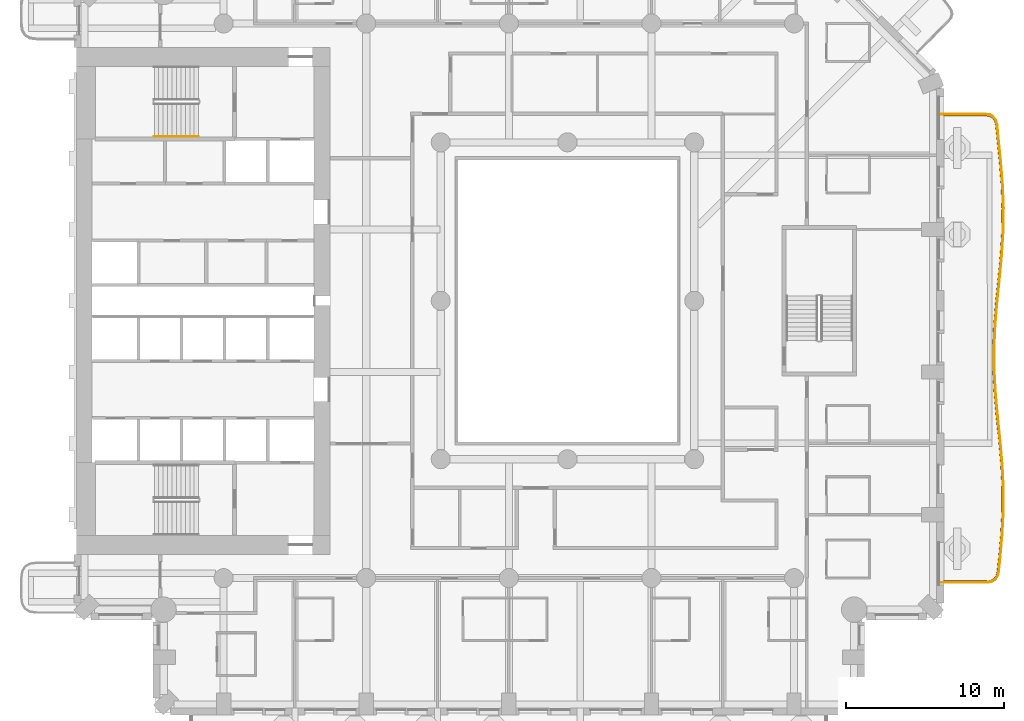
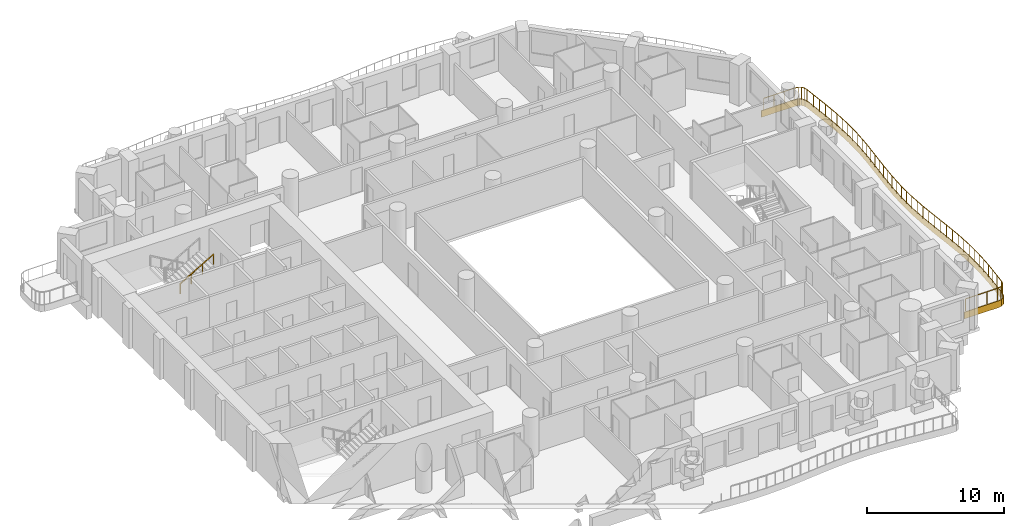
# One storey, part 16 of 20: 2 railings, 1 covering.
"""IFC4 building model written with IfcOpenShell, lengths in metres."""

from ifc_helpers import new_model, si_unit, direction, frame, origin, origin_2d, place, context, subcontext, project, spatial, polyline, rectangle, outline, extrude, material, layer, layer_set, type_object, element, save


model = new_model("IFC4")

# Units and contexts
model_context = context("Model", 3, precision=1e-05, world=origin(), true_north=direction((0.0, 1.0)))
body_context = subcontext(model_context, "Body", "Model", "MODEL_VIEW")
ifc_project = project(units=[si_unit("LENGTHUNIT", "METRE"), si_unit("AREAUNIT", "SQUARE_METRE"), si_unit("VOLUMEUNIT", "CUBIC_METRE"), si_unit("PLANEANGLEUNIT", "RADIAN"), si_unit("MASSUNIT", "GRAM", prefix="KILO")], contexts=[model_context])

# Site, building, storey
site_placement = place(None, origin())
site = spatial("IfcSite", under=ifc_project, at=site_placement, CompositionType="ELEMENT")
building_placement = place(site_placement, origin())
building = spatial("IfcBuilding", under=site, at=building_placement, Name="Cypress Arch Tower", CompositionType="ELEMENT")
storey_placement = place(building_placement, frame((0.0, 0.0, 91.5)))
storey = spatial("IfcBuildingStorey", under=building, at=storey_placement, Name="L17", CompositionType="ELEMENT", Elevation=91.5)

# Covering
ifc_material_1 = material(Name="White powder-coated aluminium fascia", Category="aluminium")
ifc_layer = layer(ifc_material_1, 0.050048828125)
ifc_layer_set = layer_set([ifc_layer], Name="Balcony fascia BF50")
covering_type = type_object("IfcCoveringType", Name="Balcony fascia BF50", PredefinedType="CLADDING", material=ifc_layer_set)
covering_placement = place(storey_placement, frame((0.0, 0.0, -0.60009765625)))
element("IfcCovering", 1, at=covering_placement, inside=storey, type_object=covering_type, Name="Balcony fascia L17-A06", PredefinedType="CLADDING", context=body_context, shape_type="SweptSolid", body=[
    extrude(outline(polyline([(27.364501953125, 11.800048828125), (27.673095703125, 11.7568359375), (27.911865234375, 11.6220703125), (28.06884765625, 11.3974609375), (28.141845703125, 11.094482421875), (28.220947265625, 10.280029296875), (28.371826171875, 8.804443359375), (28.490966796875, 7.327880859375), (28.5478515625, 5.8505859375), (28.527099609375, 4.373046875), (28.4345703125, 2.89599609375), (28.294189453125, 1.420166015625), (28.142333984375, -0.0546875), (28.018310546875, -1.528076171875), (27.95458984375, -3.0009765625), (27.96728515625, -4.473388671875), (28.052978515625, -5.9462890625), (28.18994140625, -7.420166015625), (28.342529296875, -8.895263671875), (28.47119140625, -10.37158203125), (28.542236328125, -11.848876953125), (28.53759765625, -13.326416015625), (28.458251953125, -14.8037109375), (28.324951171875, -16.27978515625), (28.240478515625, -17.094970703125), (28.16552734375, -17.397705078125), (28.007080078125, -17.6220703125), (27.767578125, -17.7568359375), (27.45849609375, -17.800048828125), (24.60107421875, -17.800048828125), (24.60107421875, -17.75), (27.455078125, -17.75), (27.751220703125, -17.70849609375), (27.97265625, -17.583984375), (28.119384765625, -17.376708984375), (28.191162109375, -17.086181640625), (28.275146484375, -16.27490234375), (28.408447265625, -14.800048828125), (28.487548828125, -13.324951171875), (28.492431640625, -11.85009765625), (28.421142578125, -10.375), (28.292724609375, -8.89990234375), (28.14013671875, -7.425048828125), (28.003173828125, -5.949951171875), (27.917236328125, -4.47509765625), (27.904541015625, -3.0), (27.968505859375, -1.52490234375), (28.092529296875, -0.050048828125), (28.244384765625, 1.425048828125), (28.384765625, 2.89990234375), (28.47705078125, 4.375), (28.497802734375, 5.85009765625), (28.441162109375, 7.324951171875), (28.322021484375, 8.800048828125), (28.171142578125, 10.27490234375), (28.092529296875, 11.086181640625), (28.0224609375, 11.376708984375), (27.87744140625, 11.583984375), (27.65673828125, 11.70849609375), (27.361083984375, 11.75), (24.60107421875, 11.75), (24.60107421875, 11.800048828125), (27.364501953125, 11.800048828125)])), origin(), (0.0, 0.0, 1.0), 0.60009765625),
])

# Railings
ifc_material_2 = material(Name="Powder-coated steel posts and rods, 100 mm clear between rods", Category="steel")
railing_type_1 = type_object("IfcRailingType", Name="Balcony guard GR1100", PredefinedType="GUARDRAIL", material=ifc_material_2)
railing_1_placement = place(storey_placement, frame((24.75, 11.699951171875, 0.0)))
element("IfcRailing", 2, at=railing_1_placement, inside=storey, type_object=railing_type_1, Name="Balcony guard L17-A06", PredefinedType="GUARDRAIL", context=body_context, shape_type="SweptSolid", body=[
    extrude(rectangle(XDim=0.050048828125, YDim=0.050048828125, at=origin_2d()), frame((0.0, 0.0, 1.0751953125), z_axis=(1.0, 0.0, 0.0), x_axis=(0.0, 1.0, 0.0)), (0.0, 0.0, 1.0), 2.607666015625),
    extrude(rectangle(XDim=0.050048828125, YDim=0.050048828125, at=origin_2d()), frame((2.607666015625, 0.0, 1.0751953125), z_axis=(0.990372228794, -0.138429940522, 0.0), x_axis=(0.138429940522, 0.990372228794, 0.0)), (0.0, 0.0, 1.0), 0.28564453125),
    extrude(rectangle(XDim=0.050048828125, YDim=0.050048828125, at=origin_2d()), frame((2.890625, -0.03955078125, 1.0751953125), z_axis=(0.87056283872, -0.492057256668, 0.0), x_axis=(0.492057256668, 0.87056283872, 0.0)), (0.0, 0.0, 1.0), 0.232177734375),
    extrude(rectangle(XDim=0.050048828125, YDim=0.050048828125, at=origin_2d()), frame((3.0927734375, -0.15380859375, 1.0751953125), z_axis=(0.573462344363, -0.819231920519, 0.0), x_axis=(0.819231920519, 0.573462344363, 0.0)), (0.0, 0.0, 1.0), 0.232421875),
    extrude(rectangle(XDim=0.050048828125, YDim=0.050048828125, at=origin_2d()), frame((3.22607421875, -0.34423828125, 1.0751953125), z_axis=(0.234083746596, -0.972216436592, 0.0), x_axis=(0.972216436592, 0.234083746596, 0.0)), (0.0, 0.0, 1.0), 0.285888671875),
    extrude(rectangle(XDim=0.050048828125, YDim=0.050048828125, at=origin_2d()), frame((3.29296875, -0.6220703125, 1.0751953125), z_axis=(0.096852881286, -0.995298708623, 0.0), x_axis=(0.995298708623, 0.096852881286, 0.0)), (0.0, 0.0, 1.0), 0.811767578125),
    extrude(rectangle(XDim=0.050048828125, YDim=0.050048828125, at=origin_2d()), frame((3.37158203125, -1.429931640625, 1.0751953125), z_axis=(0.101623468621, -0.994822934308, 0.0), x_axis=(0.994822934308, 0.101623468621, 0.0)), (0.0, 0.0, 1.0), 1.482177734375),
    extrude(rectangle(XDim=0.050048828125, YDim=0.050048828125, at=origin_2d()), frame((3.522216796875, -2.904541015625, 1.0751953125), z_axis=(0.080434477295, -0.996759898302, 0.0), x_axis=(0.996759898302, 0.080434477295, 0.0)), (0.0, 0.0, 1.0), 1.478271484375),
    extrude(rectangle(XDim=0.050048828125, YDim=0.050048828125, at=origin_2d()), frame((3.64111328125, -4.3779296875, 1.0751953125), z_axis=(0.038433122101, -0.999261174631, 0.0), x_axis=(0.999261174631, 0.038433122101, 0.0)), (0.0, 0.0, 1.0), 1.4736328125),
    extrude(rectangle(XDim=0.050048828125, YDim=0.050048828125, at=origin_2d()), frame((3.69775390625, -5.8505859375, 1.0751953125), z_axis=(-0.013926687713, -0.999903018982, 0.0), x_axis=(0.999903018982, -0.013926687713, 0.0)), (0.0, 0.0, 1.0), 1.47265625),
    extrude(rectangle(XDim=0.050048828125, YDim=0.050048828125, at=origin_2d()), frame((3.67724609375, -7.322998046875, 1.0751953125), z_axis=(-0.062532773143, -0.998042911043, 0.0), x_axis=(0.998042911043, -0.062532773143, 0.0)), (0.0, 0.0, 1.0), 1.475830078125),
    extrude(rectangle(XDim=0.050048828125, YDim=0.050048828125, at=origin_2d()), frame((3.5849609375, -8.7958984375, 1.0751953125), z_axis=(-0.094801312156, -0.995496213561, 0.0), x_axis=(0.995496213561, -0.094801312156, 0.0)), (0.0, 0.0, 1.0), 1.480712890625),
    extrude(rectangle(XDim=0.050048828125, YDim=0.050048828125, at=origin_2d()), frame((3.444580078125, -10.27001953125, 1.0751953125), z_axis=(-0.102388068631, -0.994744531728, 0.0), x_axis=(0.994744531728, -0.102388068631, 0.0)), (0.0, 0.0, 1.0), 1.483154296875),
    extrude(rectangle(XDim=0.050048828125, YDim=0.050048828125, at=origin_2d()), frame((3.292724609375, -11.745361328125, 1.0751953125), z_axis=(-0.083713716207, -0.99648984627, 0.0), x_axis=(0.99648984627, -0.083713716207, 0.0)), (0.0, 0.0, 1.0), 1.4814453125),
    extrude(rectangle(XDim=0.050048828125, YDim=0.050048828125, at=origin_2d()), frame((3.168701171875, -13.2216796875, 1.0751953125), z_axis=(-0.043422894312, -0.999056781294, 0.0), x_axis=(0.999056781294, -0.043422894312, 0.0)), (0.0, 0.0, 1.0), 1.478759765625),
    extrude(rectangle(XDim=0.050048828125, YDim=0.050048828125, at=origin_2d()), frame((3.1044921875, -14.698974609375, 1.0751953125), z_axis=(0.008591883779, -0.999963089085, 0.0), x_axis=(0.999963089085, 0.008591883779, 0.0)), (0.0, 0.0, 1.0), 1.4775390625),
    extrude(rectangle(XDim=0.050048828125, YDim=0.050048828125, at=origin_2d()), frame((3.1171875, -16.176513671875, 1.0751953125), z_axis=(0.058238448769, -0.998302701131, 0.0), x_axis=(0.998302701131, 0.058238448769, 0.0)), (0.0, 0.0, 1.0), 1.479736328125),
    extrude(rectangle(XDim=0.050048828125, YDim=0.050048828125, at=origin_2d()), frame((3.203369140625, -17.65380859375, 1.0751953125), z_axis=(0.092391739128, -0.995722735776, 0.0), x_axis=(0.995722735776, 0.092391739128, 0.0)), (0.0, 0.0, 1.0), 1.482421875),
    extrude(rectangle(XDim=0.050048828125, YDim=0.050048828125, at=origin_2d()), frame((3.34033203125, -19.1298828125, 1.0751953125), z_axis=(0.102910386472, -0.994690631481, 0.0), x_axis=(0.994690631481, 0.102910386472, 0.0)), (0.0, 0.0, 1.0), 1.482666015625),
    extrude(rectangle(XDim=0.050048828125, YDim=0.050048828125, at=origin_2d()), frame((3.492919921875, -20.604736328125, 1.0751953125), z_axis=(0.086814789696, -0.996224468827, 0.0), x_axis=(0.996224468827, 0.086814789696, 0.0)), (0.0, 0.0, 1.0), 1.479248046875),
    extrude(rectangle(XDim=0.050048828125, YDim=0.050048828125, at=origin_2d()), frame((3.621337890625, -22.078369140625, 1.0751953125), z_axis=(0.048186664334, -0.998838347972, 0.0), x_axis=(0.998838347972, 0.048186664334, 0.0)), (0.0, 0.0, 1.0), 1.474365234375),
    extrude(rectangle(XDim=0.050048828125, YDim=0.050048828125, at=origin_2d()), frame((3.6923828125, -23.551025390625, 1.0751953125), z_axis=(-0.00315037402, -0.999995037559, 0.0), x_axis=(0.999995037559, -0.00315037402, 0.0)), (0.0, 0.0, 1.0), 1.472412109375),
    extrude(rectangle(XDim=0.050048828125, YDim=0.050048828125, at=origin_2d()), frame((3.687744140625, -25.0234375, 1.0751953125), z_axis=(-0.053792382899, -0.998552141624, 0.0), x_axis=(0.998552141624, -0.053792382899, 0.0)), (0.0, 0.0, 1.0), 1.47509765625),
    extrude(rectangle(XDim=0.050048828125, YDim=0.050048828125, at=origin_2d()), frame((3.6083984375, -26.496337890625, 1.0751953125), z_axis=(-0.089910989514, -0.995949804942, 0.0), x_axis=(0.995949804942, -0.089910989514, 0.0)), (0.0, 0.0, 1.0), 1.47998046875),
    extrude(rectangle(XDim=0.050048828125, YDim=0.050048828125, at=origin_2d()), frame((3.475341796875, -27.97021484375, 1.0751953125), z_axis=(-0.103165952832, -0.99466415748, 0.0), x_axis=(0.99466415748, -0.103165952832, 0.0)), (0.0, 0.0, 1.0), 0.811767578125),
    extrude(rectangle(XDim=0.050048828125, YDim=0.050048828125, at=origin_2d()), frame((3.3916015625, -28.777587890625, 1.0751953125), z_axis=(-0.239724357512, -0.970840992344, 0.0), x_axis=(0.970840992344, -0.239724357512, 0.0)), (0.0, 0.0, 1.0), 0.2861328125),
    extrude(rectangle(XDim=0.050048828125, YDim=0.050048828125, at=origin_2d()), frame((3.322998046875, -29.055419921875, 1.0751953125), z_axis=(-0.57697094235, -0.816764673381, 0.0), x_axis=(0.816764673381, -0.57697094235, 0.0)), (0.0, 0.0, 1.0), 0.233154296875),
    extrude(rectangle(XDim=0.050048828125, YDim=0.050048828125, at=origin_2d()), frame((3.1884765625, -29.245849609375, 1.0751953125), z_axis=(-0.871379910866, -0.490608857379, 0.0), x_axis=(0.490608857379, -0.871379910866, 0.0)), (0.0, 0.0, 1.0), 0.2333984375),
    extrude(rectangle(XDim=0.050048828125, YDim=0.050048828125, at=origin_2d()), frame((2.985107421875, -29.3603515625, 1.0751953125), z_axis=(-0.990404895365, -0.138196031911, 0.0), x_axis=(0.138196031911, -0.990404895365, 0.0)), (0.0, 0.0, 1.0), 0.2861328125),
    extrude(rectangle(XDim=0.050048828125, YDim=0.050048828125, at=origin_2d()), frame((2.70166015625, -29.39990234375, 1.0751953125), z_axis=(-1.0, 0.0, 0.0), x_axis=(0.0, -1.0, 0.0)), (0.0, 0.0, 1.0), 2.70166015625),
    extrude(rectangle(XDim=0.0400390625, YDim=0.0400390625, at=origin_2d()), origin(), (0.0, 0.0, 1.0), 1.050048828125),
    extrude(rectangle(XDim=0.0400390625, YDim=0.0400390625, at=origin_2d()), frame((0.869140625, 0.0, 0.0)), (0.0, 0.0, 1.0), 1.050048828125),
    extrude(rectangle(XDim=0.0400390625, YDim=0.0400390625, at=origin_2d()), frame((1.738525390625, 0.0, 0.0)), (0.0, 0.0, 1.0), 1.050048828125),
    extrude(rectangle(XDim=0.0400390625, YDim=0.0400390625, at=origin_2d()), frame((2.607666015625, 0.0, 0.0)), (0.0, 0.0, 1.0), 1.050048828125),
    extrude(rectangle(XDim=0.0400390625, YDim=0.0400390625, at=origin_2d()), frame((2.890625, -0.03955078125, 0.0)), (0.0, 0.0, 1.0), 1.050048828125),
    extrude(rectangle(XDim=0.0400390625, YDim=0.0400390625, at=origin_2d()), frame((3.0927734375, -0.15380859375, 0.0)), (0.0, 0.0, 1.0), 1.050048828125),
    extrude(rectangle(XDim=0.0400390625, YDim=0.0400390625, at=origin_2d()), frame((3.22607421875, -0.34423828125, 0.0)), (0.0, 0.0, 1.0), 1.050048828125),
    extrude(rectangle(XDim=0.0400390625, YDim=0.0400390625, at=origin_2d()), frame((3.29296875, -0.6220703125, 0.0)), (0.0, 0.0, 1.0), 1.050048828125),
    extrude(rectangle(XDim=0.0400390625, YDim=0.0400390625, at=origin_2d()), frame((3.37158203125, -1.429931640625, 0.0)), (0.0, 0.0, 1.0), 1.050048828125),
    extrude(rectangle(XDim=0.0400390625, YDim=0.0400390625, at=origin_2d()), frame((3.44677734375, -2.167236328125, 0.0)), (0.0, 0.0, 1.0), 1.050048828125),
    extrude(rectangle(XDim=0.0400390625, YDim=0.0400390625, at=origin_2d()), frame((3.522216796875, -2.904541015625, 0.0)), (0.0, 0.0, 1.0), 1.050048828125),
    extrude(rectangle(XDim=0.0400390625, YDim=0.0400390625, at=origin_2d()), frame((3.58154296875, -3.64111328125, 0.0)), (0.0, 0.0, 1.0), 1.050048828125),
    extrude(rectangle(XDim=0.0400390625, YDim=0.0400390625, at=origin_2d()), frame((3.64111328125, -4.3779296875, 0.0)), (0.0, 0.0, 1.0), 1.050048828125),
    extrude(rectangle(XDim=0.0400390625, YDim=0.0400390625, at=origin_2d()), frame((3.66943359375, -5.1142578125, 0.0)), (0.0, 0.0, 1.0), 1.050048828125),
    extrude(rectangle(XDim=0.0400390625, YDim=0.0400390625, at=origin_2d()), frame((3.69775390625, -5.8505859375, 0.0)), (0.0, 0.0, 1.0), 1.050048828125),
    extrude(rectangle(XDim=0.0400390625, YDim=0.0400390625, at=origin_2d()), frame((3.6875, -6.5869140625, 0.0)), (0.0, 0.0, 1.0), 1.050048828125),
    extrude(rectangle(XDim=0.0400390625, YDim=0.0400390625, at=origin_2d()), frame((3.67724609375, -7.322998046875, 0.0)), (0.0, 0.0, 1.0), 1.050048828125),
    extrude(rectangle(XDim=0.0400390625, YDim=0.0400390625, at=origin_2d()), frame((3.631103515625, -8.0595703125, 0.0)), (0.0, 0.0, 1.0), 1.050048828125),
    extrude(rectangle(XDim=0.0400390625, YDim=0.0400390625, at=origin_2d()), frame((3.5849609375, -8.7958984375, 0.0)), (0.0, 0.0, 1.0), 1.050048828125),
    extrude(rectangle(XDim=0.0400390625, YDim=0.0400390625, at=origin_2d()), frame((3.5146484375, -9.532958984375, 0.0)), (0.0, 0.0, 1.0), 1.050048828125),
    extrude(rectangle(XDim=0.0400390625, YDim=0.0400390625, at=origin_2d()), frame((3.444580078125, -10.27001953125, 0.0)), (0.0, 0.0, 1.0), 1.050048828125),
    extrude(rectangle(XDim=0.0400390625, YDim=0.0400390625, at=origin_2d()), frame((3.36865234375, -11.0078125, 0.0)), (0.0, 0.0, 1.0), 1.050048828125),
    extrude(rectangle(XDim=0.0400390625, YDim=0.0400390625, at=origin_2d()), frame((3.292724609375, -11.745361328125, 0.0)), (0.0, 0.0, 1.0), 1.050048828125),
    extrude(rectangle(XDim=0.0400390625, YDim=0.0400390625, at=origin_2d()), frame((3.230712890625, -12.4833984375, 0.0)), (0.0, 0.0, 1.0), 1.050048828125),
    extrude(rectangle(XDim=0.0400390625, YDim=0.0400390625, at=origin_2d()), frame((3.168701171875, -13.2216796875, 0.0)), (0.0, 0.0, 1.0), 1.050048828125),
    extrude(rectangle(XDim=0.0400390625, YDim=0.0400390625, at=origin_2d()), frame((3.13671875, -13.96044921875, 0.0)), (0.0, 0.0, 1.0), 1.050048828125),
    extrude(rectangle(XDim=0.0400390625, YDim=0.0400390625, at=origin_2d()), frame((3.1044921875, -14.698974609375, 0.0)), (0.0, 0.0, 1.0), 1.050048828125),
    extrude(rectangle(XDim=0.0400390625, YDim=0.0400390625, at=origin_2d()), frame((3.11083984375, -15.437744140625, 0.0)), (0.0, 0.0, 1.0), 1.050048828125),
    extrude(rectangle(XDim=0.0400390625, YDim=0.0400390625, at=origin_2d()), frame((3.1171875, -16.176513671875, 0.0)), (0.0, 0.0, 1.0), 1.050048828125),
    extrude(rectangle(XDim=0.0400390625, YDim=0.0400390625, at=origin_2d()), frame((3.16015625, -16.9150390625, 0.0)), (0.0, 0.0, 1.0), 1.050048828125),
    extrude(rectangle(XDim=0.0400390625, YDim=0.0400390625, at=origin_2d()), frame((3.203369140625, -17.65380859375, 0.0)), (0.0, 0.0, 1.0), 1.050048828125),
    extrude(rectangle(XDim=0.0400390625, YDim=0.0400390625, at=origin_2d()), frame((3.27197265625, -18.391845703125, 0.0)), (0.0, 0.0, 1.0), 1.050048828125),
    extrude(rectangle(XDim=0.0400390625, YDim=0.0400390625, at=origin_2d()), frame((3.34033203125, -19.1298828125, 0.0)), (0.0, 0.0, 1.0), 1.050048828125),
    extrude(rectangle(XDim=0.0400390625, YDim=0.0400390625, at=origin_2d()), frame((3.41650390625, -19.8671875, 0.0)), (0.0, 0.0, 1.0), 1.050048828125),
    extrude(rectangle(XDim=0.0400390625, YDim=0.0400390625, at=origin_2d()), frame((3.492919921875, -20.604736328125, 0.0)), (0.0, 0.0, 1.0), 1.050048828125),
    extrude(rectangle(XDim=0.0400390625, YDim=0.0400390625, at=origin_2d()), frame((3.55712890625, -21.341552734375, 0.0)), (0.0, 0.0, 1.0), 1.050048828125),
    extrude(rectangle(XDim=0.0400390625, YDim=0.0400390625, at=origin_2d()), frame((3.621337890625, -22.078369140625, 0.0)), (0.0, 0.0, 1.0), 1.050048828125),
    extrude(rectangle(XDim=0.0400390625, YDim=0.0400390625, at=origin_2d()), frame((3.65673828125, -22.814697265625, 0.0)), (0.0, 0.0, 1.0), 1.050048828125),
    extrude(rectangle(XDim=0.0400390625, YDim=0.0400390625, at=origin_2d()), frame((3.6923828125, -23.551025390625, 0.0)), (0.0, 0.0, 1.0), 1.050048828125),
    extrude(rectangle(XDim=0.0400390625, YDim=0.0400390625, at=origin_2d()), frame((3.68994140625, -24.287109375, 0.0)), (0.0, 0.0, 1.0), 1.050048828125),
    extrude(rectangle(XDim=0.0400390625, YDim=0.0400390625, at=origin_2d()), frame((3.687744140625, -25.0234375, 0.0)), (0.0, 0.0, 1.0), 1.050048828125),
    extrude(rectangle(XDim=0.0400390625, YDim=0.0400390625, at=origin_2d()), frame((3.64794921875, -25.759765625, 0.0)), (0.0, 0.0, 1.0), 1.050048828125),
    extrude(rectangle(XDim=0.0400390625, YDim=0.0400390625, at=origin_2d()), frame((3.6083984375, -26.496337890625, 0.0)), (0.0, 0.0, 1.0), 1.050048828125),
    extrude(rectangle(XDim=0.0400390625, YDim=0.0400390625, at=origin_2d()), frame((3.5419921875, -27.2333984375, 0.0)), (0.0, 0.0, 1.0), 1.050048828125),
    extrude(rectangle(XDim=0.0400390625, YDim=0.0400390625, at=origin_2d()), frame((3.475341796875, -27.97021484375, 0.0)), (0.0, 0.0, 1.0), 1.050048828125),
    extrude(rectangle(XDim=0.0400390625, YDim=0.0400390625, at=origin_2d()), frame((3.3916015625, -28.777587890625, 0.0)), (0.0, 0.0, 1.0), 1.050048828125),
    extrude(rectangle(XDim=0.0400390625, YDim=0.0400390625, at=origin_2d()), frame((3.322998046875, -29.055419921875, 0.0)), (0.0, 0.0, 1.0), 1.050048828125),
    extrude(rectangle(XDim=0.0400390625, YDim=0.0400390625, at=origin_2d()), frame((3.1884765625, -29.245849609375, 0.0)), (0.0, 0.0, 1.0), 1.050048828125),
    extrude(rectangle(XDim=0.0400390625, YDim=0.0400390625, at=origin_2d()), frame((2.985107421875, -29.3603515625, 0.0)), (0.0, 0.0, 1.0), 1.050048828125),
    extrude(rectangle(XDim=0.0400390625, YDim=0.0400390625, at=origin_2d()), frame((2.70166015625, -29.39990234375, 0.0)), (0.0, 0.0, 1.0), 1.050048828125),
    extrude(rectangle(XDim=0.0400390625, YDim=0.0400390625, at=origin_2d()), frame((1.801025390625, -29.39990234375, 0.0)), (0.0, 0.0, 1.0), 1.050048828125),
    extrude(rectangle(XDim=0.0400390625, YDim=0.0400390625, at=origin_2d()), frame((0.900634765625, -29.39990234375, 0.0)), (0.0, 0.0, 1.0), 1.050048828125),
    extrude(rectangle(XDim=0.0400390625, YDim=0.0400390625, at=origin_2d()), frame((0.0, -29.39990234375, 0.0)), (0.0, 0.0, 1.0), 1.050048828125),
])
ifc_material_3 = material(Name="Black powder-coated steel square bar 48 mm", Category="steel")
railing_type_2 = type_object("IfcRailingType", Name="Stair handrail HR1", PredefinedType="HANDRAIL", material=ifc_material_3)
railing_2_placement = place(storey_placement, frame((-25.074951171875, 10.375, 1.963623046875)))
element("IfcRailing", 3, at=railing_2_placement, inside=storey, type_object=railing_type_2, Name="L17 B stair handrail 2", PredefinedType="HANDRAIL", context=body_context, shape_type="SweptSolid", body=[
    extrude(rectangle(XDim=0.048095703125, YDim=0.048095703125, at=origin_2d()), frame((0.0, 0.0, 0.8759765625), z_axis=(0.863360870873, 0.0, 0.504586966384), x_axis=(0.0, 1.0, 0.0)), (0.0, 0.0, 1.0), 3.2431640625),
    extrude(rectangle(XDim=0.0419921875, YDim=0.0419921875, at=origin_2d()), origin(), (0.0, 0.0, 1.0), 0.851806640625),
    extrude(rectangle(XDim=0.0419921875, YDim=0.0419921875, at=origin_2d()), frame((0.933349609375, 0.0, 0.54541015625)), (0.0, 0.0, 1.0), 0.851806640625),
    extrude(rectangle(XDim=0.0419921875, YDim=0.0419921875, at=origin_2d()), frame((1.86669921875, 0.0, 1.091064453125)), (0.0, 0.0, 1.0), 0.851806640625),
    extrude(rectangle(XDim=0.0419921875, YDim=0.0419921875, at=origin_2d()), frame((2.800048828125, 0.0, 1.636474609375)), (0.0, 0.0, 1.0), 0.851806640625),
])

save(model, "model.ifc")
